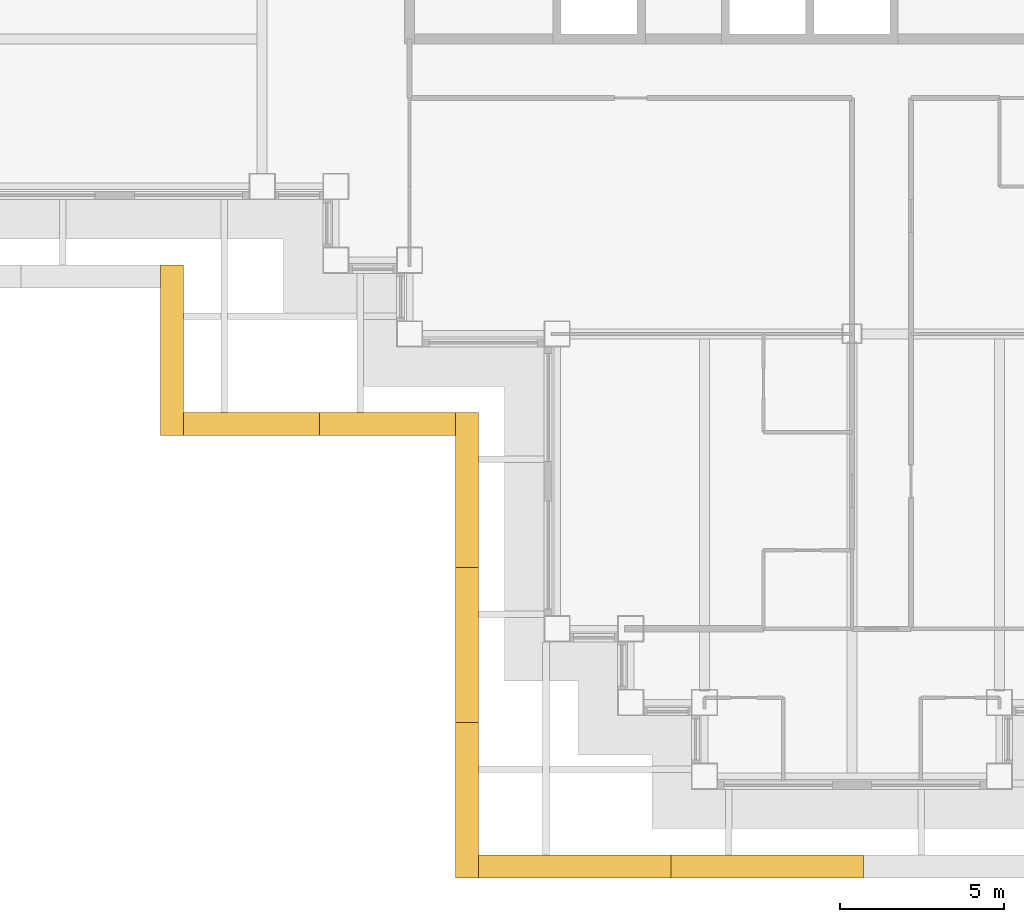
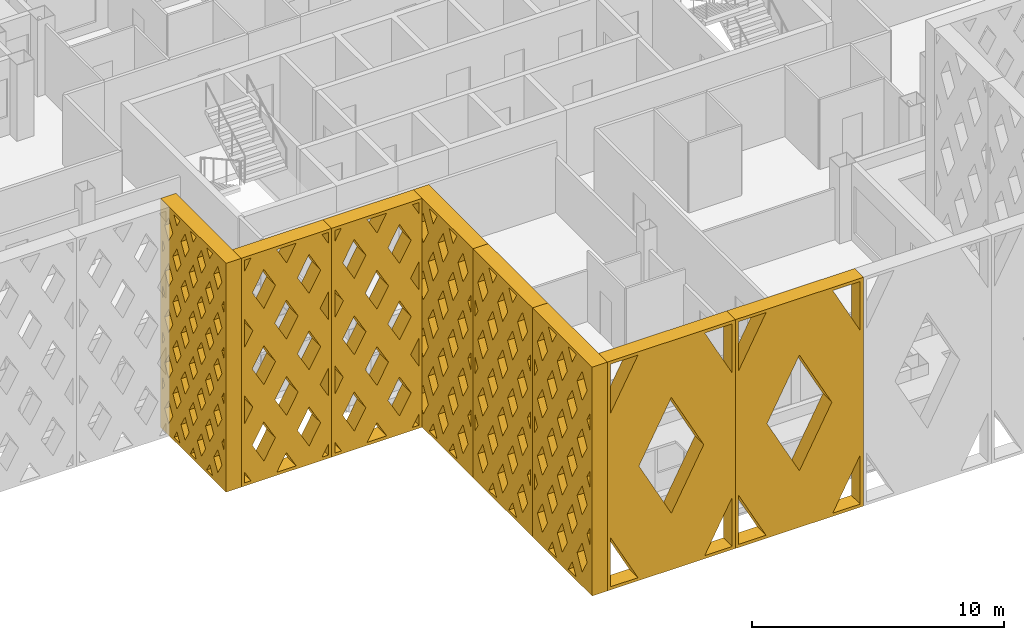
# One storey, part 13 of 18: 8 shading devices.
"""IFC4 building model written with IfcOpenShell, lengths in metres."""

from ifc_helpers import new_model, si_unit, direction, frame, origin, place, context, subcontext, project, spatial, polyline, outline, extrude, material, type_object, element, save


model = new_model("IFC4")

# Units and contexts
model_context = context("Model", 3, precision=1e-05, world=origin(), true_north=direction((0.0, 1.0)))
body_context = subcontext(model_context, "Body", "Model", "MODEL_VIEW")
ifc_project = project(units=[si_unit("LENGTHUNIT", "METRE"), si_unit("AREAUNIT", "SQUARE_METRE"), si_unit("VOLUMEUNIT", "CUBIC_METRE"), si_unit("PLANEANGLEUNIT", "RADIAN"), si_unit("MASSUNIT", "GRAM", prefix="KILO")], contexts=[model_context])

# Site, building, storey
site_placement = place(None, origin())
site = spatial("IfcSite", under=ifc_project, at=site_placement, CompositionType="ELEMENT")
building_placement = place(site_placement, origin())
building = spatial("IfcBuilding", under=site, at=building_placement, Name="Caravel Reach Hotel and Residences", CompositionType="ELEMENT")
storey_placement = place(building_placement, frame((0.0, 0.0, 165.39990234375)))
storey = spatial("IfcBuildingStorey", under=building, at=storey_placement, Name="L41", CompositionType="ELEMENT", Elevation=165.39990234375)

# Shading devices
ifc_material_1 = material(Name="Black powder-coated aluminium", Category="aluminium")
shading_device_type_1 = type_object("IfcShadingDeviceType", Name="Diamond lattice screen panel 4150 x 11100", PredefinedType="USERDEFINED", material=ifc_material_1)
shading_device_1_placement = place(storey_placement, frame((11.10009765625, 11.10009765625, 0.0), z_axis=(0.0, -1.0, 0.0), x_axis=(1.0, 0.0, 0.0)))
element("IfcShadingDevice", 1, at=shading_device_1_placement, inside=storey, type_object=shading_device_type_1, Name="Lattice screen L41-L43 16.1", ObjectType="SCREEN", PredefinedType="USERDEFINED", context=body_context, shape_type="SweptSolid", body=[
    extrude(outline(polyline([(0.0, 0.0), (4.14990234375, 0.0), (4.14990234375, 11.10009765625), (0.0, 11.10009765625), (0.0, 0.0)]), holes=[polyline([(0.447509765625, 0.14990234375), (0.14990234375, 0.6806640625), (0.14990234375, 0.14990234375), (0.447509765625, 0.14990234375)]), polyline([(0.53173828125, 3.699951171875), (0.14990234375, 4.380615234375), (0.14990234375, 3.019287109375), (0.53173828125, 3.699951171875)]), polyline([(0.53173828125, 7.39990234375), (0.14990234375, 8.08056640625), (0.14990234375, 6.719482421875), (0.53173828125, 7.39990234375)]), polyline([(0.14990234375, 10.41943359375), (0.447509765625, 10.949951171875), (0.14990234375, 10.949951171875), (0.14990234375, 10.41943359375)]), polyline([(1.03759765625, 2.798095703125), (0.505859375, 1.85009765625), (1.03759765625, 0.90185546875), (1.569091796875, 1.85009765625), (1.03759765625, 2.798095703125)]), polyline([(1.03759765625, 6.498046875), (0.505859375, 5.550048828125), (1.03759765625, 4.60205078125), (1.569091796875, 5.550048828125), (1.03759765625, 6.498046875)]), polyline([(1.03759765625, 10.197998046875), (0.505859375, 9.25), (1.03759765625, 8.302001953125), (1.569091796875, 9.25), (1.03759765625, 10.197998046875)]), polyline([(2.074951171875, 0.947998046875), (1.62744140625, 0.14990234375), (2.5224609375, 0.14990234375), (2.074951171875, 0.947998046875)]), polyline([(2.074951171875, 4.64794921875), (1.543212890625, 3.699951171875), (2.074951171875, 2.751953125), (2.606689453125, 3.699951171875), (2.074951171875, 4.64794921875)]), polyline([(2.074951171875, 8.34814453125), (1.543212890625, 7.39990234375), (2.074951171875, 6.451904296875), (2.606689453125, 7.39990234375), (2.074951171875, 8.34814453125)]), polyline([(2.074951171875, 10.15185546875), (2.5224609375, 10.949951171875), (1.62744140625, 10.949951171875), (2.074951171875, 10.15185546875)]), polyline([(3.112548828125, 2.798095703125), (2.580810546875, 1.85009765625), (3.112548828125, 0.90185546875), (3.644287109375, 1.85009765625), (3.112548828125, 2.798095703125)]), polyline([(3.112548828125, 6.498046875), (2.580810546875, 5.550048828125), (3.112548828125, 4.60205078125), (3.644287109375, 5.550048828125), (3.112548828125, 6.498046875)]), polyline([(3.112548828125, 10.197998046875), (2.580810546875, 9.25), (3.112548828125, 8.302001953125), (3.644287109375, 9.25), (3.112548828125, 10.197998046875)]), polyline([(4.0, 0.6806640625), (3.702392578125, 0.14990234375), (4.0, 0.14990234375), (4.0, 0.6806640625)]), polyline([(3.618408203125, 3.699951171875), (4.0, 3.019287109375), (4.0, 4.380615234375), (3.618408203125, 3.699951171875)]), polyline([(3.618408203125, 7.39990234375), (4.0, 6.719482421875), (4.0, 8.08056640625), (3.618408203125, 7.39990234375)]), polyline([(3.702392578125, 10.949951171875), (4.0, 10.41943359375), (4.0, 10.949951171875), (3.702392578125, 10.949951171875)])]), origin(), (0.0, 0.0, 1.0), 0.7001953125),
])
shading_device_2_placement = place(storey_placement, frame((15.25, 11.10009765625, 0.0), z_axis=(0.0, -1.0, 0.0), x_axis=(1.0, 0.0, 0.0)))
element("IfcShadingDevice", 2, at=shading_device_2_placement, inside=storey, type_object=shading_device_type_1, Name="Lattice screen L41-L43 16.2", ObjectType="SCREEN", PredefinedType="USERDEFINED", context=body_context, shape_type="SweptSolid", body=[
    extrude(outline(polyline([(0.0, 0.0), (4.14990234375, 0.0), (4.14990234375, 11.10009765625), (0.0, 11.10009765625), (0.0, 0.0)]), holes=[polyline([(0.447509765625, 0.14990234375), (0.14990234375, 0.6806640625), (0.14990234375, 0.14990234375), (0.447509765625, 0.14990234375)]), polyline([(0.53173828125, 3.699951171875), (0.14990234375, 4.380615234375), (0.14990234375, 3.019287109375), (0.53173828125, 3.699951171875)]), polyline([(0.53173828125, 7.39990234375), (0.14990234375, 8.08056640625), (0.14990234375, 6.719482421875), (0.53173828125, 7.39990234375)]), polyline([(0.14990234375, 10.41943359375), (0.447509765625, 10.949951171875), (0.14990234375, 10.949951171875), (0.14990234375, 10.41943359375)]), polyline([(1.03759765625, 2.798095703125), (0.505859375, 1.85009765625), (1.03759765625, 0.90185546875), (1.569091796875, 1.85009765625), (1.03759765625, 2.798095703125)]), polyline([(1.03759765625, 6.498046875), (0.505859375, 5.550048828125), (1.03759765625, 4.60205078125), (1.569091796875, 5.550048828125), (1.03759765625, 6.498046875)]), polyline([(1.03759765625, 10.197998046875), (0.505859375, 9.25), (1.03759765625, 8.302001953125), (1.569091796875, 9.25), (1.03759765625, 10.197998046875)]), polyline([(2.074951171875, 0.947998046875), (1.62744140625, 0.14990234375), (2.5224609375, 0.14990234375), (2.074951171875, 0.947998046875)]), polyline([(2.074951171875, 4.64794921875), (1.543212890625, 3.699951171875), (2.074951171875, 2.751953125), (2.606689453125, 3.699951171875), (2.074951171875, 4.64794921875)]), polyline([(2.074951171875, 8.34814453125), (1.543212890625, 7.39990234375), (2.074951171875, 6.451904296875), (2.606689453125, 7.39990234375), (2.074951171875, 8.34814453125)]), polyline([(2.074951171875, 10.15185546875), (2.5224609375, 10.949951171875), (1.62744140625, 10.949951171875), (2.074951171875, 10.15185546875)]), polyline([(3.112548828125, 2.798095703125), (2.580810546875, 1.85009765625), (3.112548828125, 0.90185546875), (3.644287109375, 1.85009765625), (3.112548828125, 2.798095703125)]), polyline([(3.112548828125, 6.498046875), (2.580810546875, 5.550048828125), (3.112548828125, 4.60205078125), (3.644287109375, 5.550048828125), (3.112548828125, 6.498046875)]), polyline([(3.112548828125, 10.197998046875), (2.580810546875, 9.25), (3.112548828125, 8.302001953125), (3.644287109375, 9.25), (3.112548828125, 10.197998046875)]), polyline([(4.0, 0.6806640625), (3.702392578125, 0.14990234375), (4.0, 0.14990234375), (4.0, 0.6806640625)]), polyline([(3.618408203125, 3.699951171875), (4.0, 3.019287109375), (4.0, 4.380615234375), (3.618408203125, 3.699951171875)]), polyline([(3.618408203125, 7.39990234375), (4.0, 6.719482421875), (4.0, 8.08056640625), (3.618408203125, 7.39990234375)]), polyline([(3.702392578125, 10.949951171875), (4.0, 10.41943359375), (4.0, 10.949951171875), (3.702392578125, 10.949951171875)])]), origin(), (0.0, 0.0, 1.0), 0.7001953125),
])
ifc_material_2 = material(Name="Black powder-coated aluminium", Category="aluminium")
shading_device_type_2 = type_object("IfcShadingDeviceType", Name="Diamond lattice screen panel 4733 x 11100", PredefinedType="USERDEFINED", material=ifc_material_2)
shading_device_3_placement = place(storey_placement, frame((20.10009765625, 11.10009765625, 0.0), z_axis=(-1.0, 0.0, 0.0), x_axis=(0.0, -1.0, 0.0)))
element("IfcShadingDevice", 3, at=shading_device_3_placement, inside=storey, type_object=shading_device_type_2, Name="Lattice screen L41-L43 1.1", ObjectType="SCREEN", PredefinedType="USERDEFINED", context=body_context, shape_type="SweptSolid", body=[
    extrude(outline(polyline([(0.0, 0.0), (4.7333984375, 0.0), (4.7333984375, 11.10009765625), (0.0, 11.10009765625), (0.0, 0.0)]), holes=[polyline([(0.401123046875, 2.77490234375), (0.14990234375, 3.216796875), (0.14990234375, 2.333251953125), (0.401123046875, 2.77490234375)]), polyline([(0.401123046875, 5.550048828125), (0.14990234375, 5.99169921875), (0.14990234375, 5.108154296875), (0.401123046875, 5.550048828125)]), polyline([(0.401123046875, 8.324951171875), (0.14990234375, 8.766845703125), (0.14990234375, 7.88330078125), (0.401123046875, 8.324951171875)]), polyline([(0.788818359375, 2.093017578125), (0.3876953125, 1.387451171875), (0.788818359375, 0.681884765625), (1.190185546875, 1.387451171875), (0.788818359375, 2.093017578125)]), polyline([(0.788818359375, 4.8681640625), (0.3876953125, 4.16259765625), (0.788818359375, 3.456787109375), (1.190185546875, 4.16259765625), (0.788818359375, 4.8681640625)]), polyline([(0.788818359375, 7.64306640625), (0.3876953125, 6.9375), (0.788818359375, 6.23193359375), (1.190185546875, 6.9375), (0.788818359375, 7.64306640625)]), polyline([(0.788818359375, 10.418212890625), (0.3876953125, 9.71240234375), (0.788818359375, 9.0068359375), (1.190185546875, 9.71240234375), (0.788818359375, 10.418212890625)]), polyline([(1.577880859375, 0.70556640625), (1.261962890625, 0.14990234375), (1.893798828125, 0.14990234375), (1.577880859375, 0.70556640625)]), polyline([(1.577880859375, 3.480712890625), (1.176513671875, 2.77490234375), (1.577880859375, 2.0693359375), (1.97900390625, 2.77490234375), (1.577880859375, 3.480712890625)]), polyline([(1.577880859375, 6.255615234375), (1.176513671875, 5.550048828125), (1.577880859375, 4.844482421875), (1.97900390625, 5.550048828125), (1.577880859375, 6.255615234375)]), polyline([(1.577880859375, 9.030517578125), (1.176513671875, 8.324951171875), (1.577880859375, 7.619384765625), (1.97900390625, 8.324951171875), (1.577880859375, 9.030517578125)]), polyline([(1.577880859375, 10.394287109375), (1.893798828125, 10.949951171875), (1.261962890625, 10.949951171875), (1.577880859375, 10.394287109375)]), polyline([(2.36669921875, 2.093017578125), (1.965576171875, 1.387451171875), (2.36669921875, 0.681884765625), (2.767822265625, 1.387451171875), (2.36669921875, 2.093017578125)]), polyline([(2.36669921875, 4.8681640625), (1.965576171875, 4.16259765625), (2.36669921875, 3.456787109375), (2.767822265625, 4.16259765625), (2.36669921875, 4.8681640625)]), polyline([(2.36669921875, 7.64306640625), (1.965576171875, 6.9375), (2.36669921875, 6.23193359375), (2.767822265625, 6.9375), (2.36669921875, 7.64306640625)]), polyline([(2.36669921875, 10.418212890625), (1.965576171875, 9.71240234375), (2.36669921875, 9.0068359375), (2.767822265625, 9.71240234375), (2.36669921875, 10.418212890625)]), polyline([(3.155517578125, 0.70556640625), (2.839599609375, 0.14990234375), (3.471435546875, 0.14990234375), (3.155517578125, 0.70556640625)]), polyline([(3.155517578125, 3.480712890625), (2.75439453125, 2.77490234375), (3.155517578125, 2.0693359375), (3.556640625, 2.77490234375), (3.155517578125, 3.480712890625)]), polyline([(3.155517578125, 6.255615234375), (2.75439453125, 5.550048828125), (3.155517578125, 4.844482421875), (3.556640625, 5.550048828125), (3.155517578125, 6.255615234375)]), polyline([(3.155517578125, 9.030517578125), (2.75439453125, 8.324951171875), (3.155517578125, 7.619384765625), (3.556640625, 8.324951171875), (3.155517578125, 9.030517578125)]), polyline([(3.155517578125, 10.394287109375), (3.471435546875, 10.949951171875), (2.839599609375, 10.949951171875), (3.155517578125, 10.394287109375)]), polyline([(3.9443359375, 2.093017578125), (3.543212890625, 1.387451171875), (3.9443359375, 0.681884765625), (4.345703125, 1.387451171875), (3.9443359375, 2.093017578125)]), polyline([(3.9443359375, 4.8681640625), (3.543212890625, 4.16259765625), (3.9443359375, 3.456787109375), (4.345703125, 4.16259765625), (3.9443359375, 4.8681640625)]), polyline([(3.9443359375, 7.64306640625), (3.543212890625, 6.9375), (3.9443359375, 6.23193359375), (4.345703125, 6.9375), (3.9443359375, 7.64306640625)]), polyline([(3.9443359375, 10.418212890625), (3.543212890625, 9.71240234375), (3.9443359375, 9.0068359375), (4.345703125, 9.71240234375), (3.9443359375, 10.418212890625)]), polyline([(4.33203125, 2.77490234375), (4.583251953125, 2.333251953125), (4.583251953125, 3.216796875), (4.33203125, 2.77490234375)]), polyline([(4.33203125, 5.550048828125), (4.583251953125, 5.108154296875), (4.583251953125, 5.99169921875), (4.33203125, 5.550048828125)]), polyline([(4.33203125, 8.324951171875), (4.583251953125, 7.88330078125), (4.583251953125, 8.766845703125), (4.33203125, 8.324951171875)])]), origin(), (0.0, 0.0, 1.0), 0.7001953125),
])
shading_device_4_placement = place(storey_placement, frame((20.10009765625, 6.36669921875, 0.0), z_axis=(-1.0, 0.0, 0.0), x_axis=(0.0, -1.0, 0.0)))
element("IfcShadingDevice", 4, at=shading_device_4_placement, inside=storey, type_object=shading_device_type_2, Name="Lattice screen L41-L43 1.2", ObjectType="SCREEN", PredefinedType="USERDEFINED", context=body_context, shape_type="SweptSolid", body=[
    extrude(outline(polyline([(0.0, 0.0), (4.7333984375, 0.0), (4.7333984375, 11.10009765625), (0.0, 11.10009765625), (0.0, 0.0)]), holes=[polyline([(0.401123046875, 2.77490234375), (0.14990234375, 3.216796875), (0.14990234375, 2.333251953125), (0.401123046875, 2.77490234375)]), polyline([(0.401123046875, 5.550048828125), (0.14990234375, 5.99169921875), (0.14990234375, 5.108154296875), (0.401123046875, 5.550048828125)]), polyline([(0.401123046875, 8.324951171875), (0.14990234375, 8.766845703125), (0.14990234375, 7.88330078125), (0.401123046875, 8.324951171875)]), polyline([(0.788818359375, 2.093017578125), (0.3876953125, 1.387451171875), (0.788818359375, 0.681884765625), (1.190185546875, 1.387451171875), (0.788818359375, 2.093017578125)]), polyline([(0.788818359375, 4.8681640625), (0.3876953125, 4.16259765625), (0.788818359375, 3.456787109375), (1.190185546875, 4.16259765625), (0.788818359375, 4.8681640625)]), polyline([(0.788818359375, 7.64306640625), (0.3876953125, 6.9375), (0.788818359375, 6.23193359375), (1.190185546875, 6.9375), (0.788818359375, 7.64306640625)]), polyline([(0.788818359375, 10.418212890625), (0.3876953125, 9.71240234375), (0.788818359375, 9.0068359375), (1.190185546875, 9.71240234375), (0.788818359375, 10.418212890625)]), polyline([(1.577880859375, 0.70556640625), (1.261962890625, 0.14990234375), (1.893798828125, 0.14990234375), (1.577880859375, 0.70556640625)]), polyline([(1.577880859375, 3.480712890625), (1.176513671875, 2.77490234375), (1.577880859375, 2.0693359375), (1.97900390625, 2.77490234375), (1.577880859375, 3.480712890625)]), polyline([(1.577880859375, 6.255615234375), (1.176513671875, 5.550048828125), (1.577880859375, 4.844482421875), (1.97900390625, 5.550048828125), (1.577880859375, 6.255615234375)]), polyline([(1.577880859375, 9.030517578125), (1.176513671875, 8.324951171875), (1.577880859375, 7.619384765625), (1.97900390625, 8.324951171875), (1.577880859375, 9.030517578125)]), polyline([(1.577880859375, 10.394287109375), (1.893798828125, 10.949951171875), (1.261962890625, 10.949951171875), (1.577880859375, 10.394287109375)]), polyline([(2.36669921875, 2.093017578125), (1.965576171875, 1.387451171875), (2.36669921875, 0.681884765625), (2.767822265625, 1.387451171875), (2.36669921875, 2.093017578125)]), polyline([(2.36669921875, 4.8681640625), (1.965576171875, 4.16259765625), (2.36669921875, 3.456787109375), (2.767822265625, 4.16259765625), (2.36669921875, 4.8681640625)]), polyline([(2.36669921875, 7.64306640625), (1.965576171875, 6.9375), (2.36669921875, 6.23193359375), (2.767822265625, 6.9375), (2.36669921875, 7.64306640625)]), polyline([(2.36669921875, 10.418212890625), (1.965576171875, 9.71240234375), (2.36669921875, 9.0068359375), (2.767822265625, 9.71240234375), (2.36669921875, 10.418212890625)]), polyline([(3.155517578125, 0.70556640625), (2.839599609375, 0.14990234375), (3.471435546875, 0.14990234375), (3.155517578125, 0.70556640625)]), polyline([(3.155517578125, 3.480712890625), (2.75439453125, 2.77490234375), (3.155517578125, 2.0693359375), (3.556640625, 2.77490234375), (3.155517578125, 3.480712890625)]), polyline([(3.155517578125, 6.255615234375), (2.75439453125, 5.550048828125), (3.155517578125, 4.844482421875), (3.556640625, 5.550048828125), (3.155517578125, 6.255615234375)]), polyline([(3.155517578125, 9.030517578125), (2.75439453125, 8.324951171875), (3.155517578125, 7.619384765625), (3.556640625, 8.324951171875), (3.155517578125, 9.030517578125)]), polyline([(3.155517578125, 10.394287109375), (3.471435546875, 10.949951171875), (2.839599609375, 10.949951171875), (3.155517578125, 10.394287109375)]), polyline([(3.9443359375, 2.093017578125), (3.543212890625, 1.387451171875), (3.9443359375, 0.681884765625), (4.345703125, 1.387451171875), (3.9443359375, 2.093017578125)]), polyline([(3.9443359375, 4.8681640625), (3.543212890625, 4.16259765625), (3.9443359375, 3.456787109375), (4.345703125, 4.16259765625), (3.9443359375, 4.8681640625)]), polyline([(3.9443359375, 7.64306640625), (3.543212890625, 6.9375), (3.9443359375, 6.23193359375), (4.345703125, 6.9375), (3.9443359375, 7.64306640625)]), polyline([(3.9443359375, 10.418212890625), (3.543212890625, 9.71240234375), (3.9443359375, 9.0068359375), (4.345703125, 9.71240234375), (3.9443359375, 10.418212890625)]), polyline([(4.33203125, 2.77490234375), (4.583251953125, 2.333251953125), (4.583251953125, 3.216796875), (4.33203125, 2.77490234375)]), polyline([(4.33203125, 5.550048828125), (4.583251953125, 5.108154296875), (4.583251953125, 5.99169921875), (4.33203125, 5.550048828125)]), polyline([(4.33203125, 8.324951171875), (4.583251953125, 7.88330078125), (4.583251953125, 8.766845703125), (4.33203125, 8.324951171875)])]), origin(), (0.0, 0.0, 1.0), 0.7001953125),
])
shading_device_5_placement = place(storey_placement, frame((20.10009765625, 1.63330078125, 0.0), z_axis=(-1.0, 0.0, 0.0), x_axis=(0.0, -1.0, 0.0)))
element("IfcShadingDevice", 5, at=shading_device_5_placement, inside=storey, type_object=shading_device_type_2, Name="Lattice screen L41-L43 1.3", ObjectType="SCREEN", PredefinedType="USERDEFINED", context=body_context, shape_type="SweptSolid", body=[
    extrude(outline(polyline([(0.0, 0.0), (4.7333984375, 0.0), (4.7333984375, 11.10009765625), (0.0, 11.10009765625), (0.0, 0.0)]), holes=[polyline([(0.401123046875, 2.77490234375), (0.14990234375, 3.216796875), (0.14990234375, 2.333251953125), (0.401123046875, 2.77490234375)]), polyline([(0.401123046875, 5.550048828125), (0.14990234375, 5.99169921875), (0.14990234375, 5.108154296875), (0.401123046875, 5.550048828125)]), polyline([(0.401123046875, 8.324951171875), (0.14990234375, 8.766845703125), (0.14990234375, 7.88330078125), (0.401123046875, 8.324951171875)]), polyline([(0.788818359375, 2.093017578125), (0.3876953125, 1.387451171875), (0.788818359375, 0.681884765625), (1.190185546875, 1.387451171875), (0.788818359375, 2.093017578125)]), polyline([(0.788818359375, 4.8681640625), (0.3876953125, 4.16259765625), (0.788818359375, 3.456787109375), (1.190185546875, 4.16259765625), (0.788818359375, 4.8681640625)]), polyline([(0.788818359375, 7.64306640625), (0.3876953125, 6.9375), (0.788818359375, 6.23193359375), (1.190185546875, 6.9375), (0.788818359375, 7.64306640625)]), polyline([(0.788818359375, 10.418212890625), (0.3876953125, 9.71240234375), (0.788818359375, 9.0068359375), (1.190185546875, 9.71240234375), (0.788818359375, 10.418212890625)]), polyline([(1.577880859375, 0.70556640625), (1.261962890625, 0.14990234375), (1.893798828125, 0.14990234375), (1.577880859375, 0.70556640625)]), polyline([(1.577880859375, 3.480712890625), (1.176513671875, 2.77490234375), (1.577880859375, 2.0693359375), (1.97900390625, 2.77490234375), (1.577880859375, 3.480712890625)]), polyline([(1.577880859375, 6.255615234375), (1.176513671875, 5.550048828125), (1.577880859375, 4.844482421875), (1.97900390625, 5.550048828125), (1.577880859375, 6.255615234375)]), polyline([(1.577880859375, 9.030517578125), (1.176513671875, 8.324951171875), (1.577880859375, 7.619384765625), (1.97900390625, 8.324951171875), (1.577880859375, 9.030517578125)]), polyline([(1.577880859375, 10.394287109375), (1.893798828125, 10.949951171875), (1.261962890625, 10.949951171875), (1.577880859375, 10.394287109375)]), polyline([(2.36669921875, 2.093017578125), (1.965576171875, 1.387451171875), (2.36669921875, 0.681884765625), (2.767822265625, 1.387451171875), (2.36669921875, 2.093017578125)]), polyline([(2.36669921875, 4.8681640625), (1.965576171875, 4.16259765625), (2.36669921875, 3.456787109375), (2.767822265625, 4.16259765625), (2.36669921875, 4.8681640625)]), polyline([(2.36669921875, 7.64306640625), (1.965576171875, 6.9375), (2.36669921875, 6.23193359375), (2.767822265625, 6.9375), (2.36669921875, 7.64306640625)]), polyline([(2.36669921875, 10.418212890625), (1.965576171875, 9.71240234375), (2.36669921875, 9.0068359375), (2.767822265625, 9.71240234375), (2.36669921875, 10.418212890625)]), polyline([(3.155517578125, 0.70556640625), (2.839599609375, 0.14990234375), (3.471435546875, 0.14990234375), (3.155517578125, 0.70556640625)]), polyline([(3.155517578125, 3.480712890625), (2.75439453125, 2.77490234375), (3.155517578125, 2.0693359375), (3.556640625, 2.77490234375), (3.155517578125, 3.480712890625)]), polyline([(3.155517578125, 6.255615234375), (2.75439453125, 5.550048828125), (3.155517578125, 4.844482421875), (3.556640625, 5.550048828125), (3.155517578125, 6.255615234375)]), polyline([(3.155517578125, 9.030517578125), (2.75439453125, 8.324951171875), (3.155517578125, 7.619384765625), (3.556640625, 8.324951171875), (3.155517578125, 9.030517578125)]), polyline([(3.155517578125, 10.394287109375), (3.471435546875, 10.949951171875), (2.839599609375, 10.949951171875), (3.155517578125, 10.394287109375)]), polyline([(3.9443359375, 2.093017578125), (3.543212890625, 1.387451171875), (3.9443359375, 0.681884765625), (4.345703125, 1.387451171875), (3.9443359375, 2.093017578125)]), polyline([(3.9443359375, 4.8681640625), (3.543212890625, 4.16259765625), (3.9443359375, 3.456787109375), (4.345703125, 4.16259765625), (3.9443359375, 4.8681640625)]), polyline([(3.9443359375, 7.64306640625), (3.543212890625, 6.9375), (3.9443359375, 6.23193359375), (4.345703125, 6.9375), (3.9443359375, 7.64306640625)]), polyline([(3.9443359375, 10.418212890625), (3.543212890625, 9.71240234375), (3.9443359375, 9.0068359375), (4.345703125, 9.71240234375), (3.9443359375, 10.418212890625)]), polyline([(4.33203125, 2.77490234375), (4.583251953125, 2.333251953125), (4.583251953125, 3.216796875), (4.33203125, 2.77490234375)]), polyline([(4.33203125, 5.550048828125), (4.583251953125, 5.108154296875), (4.583251953125, 5.99169921875), (4.33203125, 5.550048828125)]), polyline([(4.33203125, 8.324951171875), (4.583251953125, 7.88330078125), (4.583251953125, 8.766845703125), (4.33203125, 8.324951171875)])]), origin(), (0.0, 0.0, 1.0), 0.7001953125),
])
ifc_material_3 = material(Name="Black powder-coated aluminium", Category="aluminium")
shading_device_type_3 = type_object("IfcShadingDeviceType", Name="Diamond lattice screen panel 5200 x 11100", PredefinedType="USERDEFINED", material=ifc_material_3)
shading_device_6_placement = place(storey_placement, frame((11.10009765625, 15.60009765625, 0.0), z_axis=(-1.0, 0.0, 0.0), x_axis=(0.0, -1.0, 0.0)))
element("IfcShadingDevice", 6, at=shading_device_6_placement, inside=storey, type_object=shading_device_type_3, Name="Lattice screen L41-L43 15.1", ObjectType="SCREEN", PredefinedType="USERDEFINED", context=body_context, shape_type="SweptSolid", body=[
    extrude(outline(polyline([(0.0, 0.0), (5.199951171875, 0.0), (5.199951171875, 11.10009765625), (0.0, 11.10009765625), (0.0, 0.0)]), holes=[polyline([(0.326904296875, 2.219970703125), (0.14990234375, 2.522216796875), (0.14990234375, 1.917724609375), (0.326904296875, 2.219970703125)]), polyline([(0.326904296875, 4.43994140625), (0.14990234375, 4.7421875), (0.14990234375, 4.1376953125), (0.326904296875, 4.43994140625)]), polyline([(0.326904296875, 6.659912109375), (0.14990234375, 6.962158203125), (0.14990234375, 6.357666015625), (0.326904296875, 6.659912109375)]), polyline([(0.326904296875, 8.8798828125), (0.14990234375, 9.18212890625), (0.14990234375, 8.577880859375), (0.326904296875, 8.8798828125)]), polyline([(0.64990234375, 1.66845703125), (0.322998046875, 1.110107421875), (0.64990234375, 0.551513671875), (0.97705078125, 1.110107421875), (0.64990234375, 1.66845703125)]), polyline([(0.64990234375, 3.888427734375), (0.322998046875, 3.330078125), (0.64990234375, 2.771728515625), (0.97705078125, 3.330078125), (0.64990234375, 3.888427734375)]), polyline([(0.64990234375, 6.1083984375), (0.322998046875, 5.550048828125), (0.64990234375, 4.99169921875), (0.97705078125, 5.550048828125), (0.64990234375, 6.1083984375)]), polyline([(0.64990234375, 8.328369140625), (0.322998046875, 7.77001953125), (0.64990234375, 7.211669921875), (0.97705078125, 7.77001953125), (0.64990234375, 8.328369140625)]), polyline([(0.64990234375, 10.54833984375), (0.322998046875, 9.989990234375), (0.64990234375, 9.431640625), (0.97705078125, 9.989990234375), (0.64990234375, 10.54833984375)]), polyline([(1.300048828125, 0.558349609375), (1.060791015625, 0.14990234375), (1.5390625, 0.14990234375), (1.300048828125, 0.558349609375)]), polyline([(1.300048828125, 2.7783203125), (0.97314453125, 2.219970703125), (1.300048828125, 1.66162109375), (1.626953125, 2.219970703125), (1.300048828125, 2.7783203125)]), polyline([(1.300048828125, 4.998291015625), (0.97314453125, 4.43994140625), (1.300048828125, 3.881591796875), (1.626953125, 4.43994140625), (1.300048828125, 4.998291015625)]), polyline([(1.300048828125, 7.21826171875), (0.97314453125, 6.659912109375), (1.300048828125, 6.1015625), (1.626953125, 6.659912109375), (1.300048828125, 7.21826171875)]), polyline([(1.300048828125, 9.4384765625), (0.97314453125, 8.8798828125), (1.300048828125, 8.321533203125), (1.626953125, 8.8798828125), (1.300048828125, 9.4384765625)]), polyline([(1.300048828125, 10.541748046875), (1.5390625, 10.949951171875), (1.060791015625, 10.949951171875), (1.300048828125, 10.541748046875)]), polyline([(1.949951171875, 1.66845703125), (1.623046875, 1.110107421875), (1.949951171875, 0.551513671875), (2.27685546875, 1.110107421875), (1.949951171875, 1.66845703125)]), polyline([(1.949951171875, 3.888427734375), (1.623046875, 3.330078125), (1.949951171875, 2.771728515625), (2.27685546875, 3.330078125), (1.949951171875, 3.888427734375)]), polyline([(1.949951171875, 6.1083984375), (1.623046875, 5.550048828125), (1.949951171875, 4.99169921875), (2.27685546875, 5.550048828125), (1.949951171875, 6.1083984375)]), polyline([(1.949951171875, 8.328369140625), (1.623046875, 7.77001953125), (1.949951171875, 7.211669921875), (2.27685546875, 7.77001953125), (1.949951171875, 8.328369140625)]), polyline([(1.949951171875, 10.54833984375), (1.623046875, 9.989990234375), (1.949951171875, 9.431640625), (2.27685546875, 9.989990234375), (1.949951171875, 10.54833984375)]), polyline([(2.60009765625, 0.558349609375), (2.36083984375, 0.14990234375), (2.839111328125, 0.14990234375), (2.60009765625, 0.558349609375)]), polyline([(2.60009765625, 2.7783203125), (2.27294921875, 2.219970703125), (2.60009765625, 1.66162109375), (2.927001953125, 2.219970703125), (2.60009765625, 2.7783203125)]), polyline([(2.60009765625, 4.998291015625), (2.27294921875, 4.43994140625), (2.60009765625, 3.881591796875), (2.927001953125, 4.43994140625), (2.60009765625, 4.998291015625)]), polyline([(2.60009765625, 7.21826171875), (2.27294921875, 6.659912109375), (2.60009765625, 6.1015625), (2.927001953125, 6.659912109375), (2.60009765625, 7.21826171875)]), polyline([(2.60009765625, 9.4384765625), (2.27294921875, 8.8798828125), (2.60009765625, 8.321533203125), (2.927001953125, 8.8798828125), (2.60009765625, 9.4384765625)]), polyline([(2.60009765625, 10.541748046875), (2.839111328125, 10.949951171875), (2.36083984375, 10.949951171875), (2.60009765625, 10.541748046875)]), polyline([(3.25, 1.66845703125), (2.923095703125, 1.110107421875), (3.25, 0.551513671875), (3.576904296875, 1.110107421875), (3.25, 1.66845703125)]), polyline([(3.25, 3.888427734375), (2.923095703125, 3.330078125), (3.25, 2.771728515625), (3.576904296875, 3.330078125), (3.25, 3.888427734375)]), polyline([(3.25, 6.1083984375), (2.923095703125, 5.550048828125), (3.25, 4.99169921875), (3.576904296875, 5.550048828125), (3.25, 6.1083984375)]), polyline([(3.25, 8.328369140625), (2.923095703125, 7.77001953125), (3.25, 7.211669921875), (3.576904296875, 7.77001953125), (3.25, 8.328369140625)]), polyline([(3.25, 10.54833984375), (2.923095703125, 9.989990234375), (3.25, 9.431640625), (3.576904296875, 9.989990234375), (3.25, 10.54833984375)]), polyline([(3.89990234375, 0.558349609375), (3.660888671875, 0.14990234375), (4.13916015625, 0.14990234375), (3.89990234375, 0.558349609375)]), polyline([(3.89990234375, 2.7783203125), (3.572998046875, 2.219970703125), (3.89990234375, 1.66162109375), (4.22705078125, 2.219970703125), (3.89990234375, 2.7783203125)]), polyline([(3.89990234375, 4.998291015625), (3.572998046875, 4.43994140625), (3.89990234375, 3.881591796875), (4.22705078125, 4.43994140625), (3.89990234375, 4.998291015625)]), polyline([(3.89990234375, 7.21826171875), (3.572998046875, 6.659912109375), (3.89990234375, 6.1015625), (4.22705078125, 6.659912109375), (3.89990234375, 7.21826171875)]), polyline([(3.89990234375, 9.4384765625), (3.572998046875, 8.8798828125), (3.89990234375, 8.321533203125), (4.22705078125, 8.8798828125), (3.89990234375, 9.4384765625)]), polyline([(3.89990234375, 10.541748046875), (4.13916015625, 10.949951171875), (3.660888671875, 10.949951171875), (3.89990234375, 10.541748046875)]), polyline([(4.550048828125, 1.66845703125), (4.22314453125, 1.110107421875), (4.550048828125, 0.551513671875), (4.876953125, 1.110107421875), (4.550048828125, 1.66845703125)]), polyline([(4.550048828125, 3.888427734375), (4.22314453125, 3.330078125), (4.550048828125, 2.771728515625), (4.876953125, 3.330078125), (4.550048828125, 3.888427734375)]), polyline([(4.550048828125, 6.1083984375), (4.22314453125, 5.550048828125), (4.550048828125, 4.99169921875), (4.876953125, 5.550048828125), (4.550048828125, 6.1083984375)]), polyline([(4.550048828125, 8.328369140625), (4.22314453125, 7.77001953125), (4.550048828125, 7.211669921875), (4.876953125, 7.77001953125), (4.550048828125, 8.328369140625)]), polyline([(4.550048828125, 10.54833984375), (4.22314453125, 9.989990234375), (4.550048828125, 9.431640625), (4.876953125, 9.989990234375), (4.550048828125, 10.54833984375)]), polyline([(4.873046875, 2.219970703125), (5.050048828125, 1.917724609375), (5.050048828125, 2.522216796875), (4.873046875, 2.219970703125)]), polyline([(4.873046875, 4.43994140625), (5.050048828125, 4.1376953125), (5.050048828125, 4.7421875), (4.873046875, 4.43994140625)]), polyline([(4.873046875, 6.659912109375), (5.050048828125, 6.357666015625), (5.050048828125, 6.962158203125), (4.873046875, 6.659912109375)]), polyline([(4.873046875, 8.8798828125), (5.050048828125, 8.577880859375), (5.050048828125, 9.18212890625), (4.873046875, 8.8798828125)])]), origin(), (0.0, 0.0, 1.0), 0.7001953125),
])
ifc_material_4 = material(Name="Black powder-coated aluminium", Category="aluminium")
shading_device_type_4 = type_object("IfcShadingDeviceType", Name="Diamond lattice screen panel 5875 x 11100", PredefinedType="USERDEFINED", material=ifc_material_4)
for number, where, z_axis, x_axis, name in (
    (7, (20.10009765625, -2.39990234375, 0.0), (0.0, -1.0, 0.0), (1.0, 0.0, 0.0), "Lattice screen L41-L43 2.1"),
    (8, (25.97509765625, -2.39990234375, 0.0), (0.0, -1.0, 0.0), (1.0, 0.0, 0.0), "Lattice screen L41-L43 2.2"),
):
    element("IfcShadingDevice", number, at=place(storey_placement, frame(where, z_axis=z_axis, x_axis=x_axis)), inside=storey, type_object=shading_device_type_4, Name=name, ObjectType="SCREEN", PredefinedType="USERDEFINED", context=body_context, shape_type="SweptSolid", body=[
        extrude(outline(polyline([(0.0, 0.0), (5.875, 0.0), (5.875, 11.10009765625), (0.0, 11.10009765625), (0.0, 0.0)]), holes=[polyline([(1.408447265625, 0.14990234375), (0.14990234375, 2.52734375), (0.14990234375, 0.14990234375), (1.408447265625, 0.14990234375)]), polyline([(0.14990234375, 8.572509765625), (1.408447265625, 10.949951171875), (0.14990234375, 10.949951171875), (0.14990234375, 8.572509765625)]), polyline([(2.9375, 8.36083984375), (1.44970703125, 5.550048828125), (2.9375, 2.7392578125), (4.42529296875, 5.550048828125), (2.9375, 8.36083984375)]), polyline([(5.72509765625, 2.52734375), (4.466552734375, 0.14990234375), (5.72509765625, 0.14990234375), (5.72509765625, 2.52734375)]), polyline([(4.466552734375, 10.949951171875), (5.72509765625, 8.572509765625), (5.72509765625, 10.949951171875), (4.466552734375, 10.949951171875)])]), origin(), (0.0, 0.0, 1.0), 0.7001953125),
    ])

save(model, "model.ifc")
